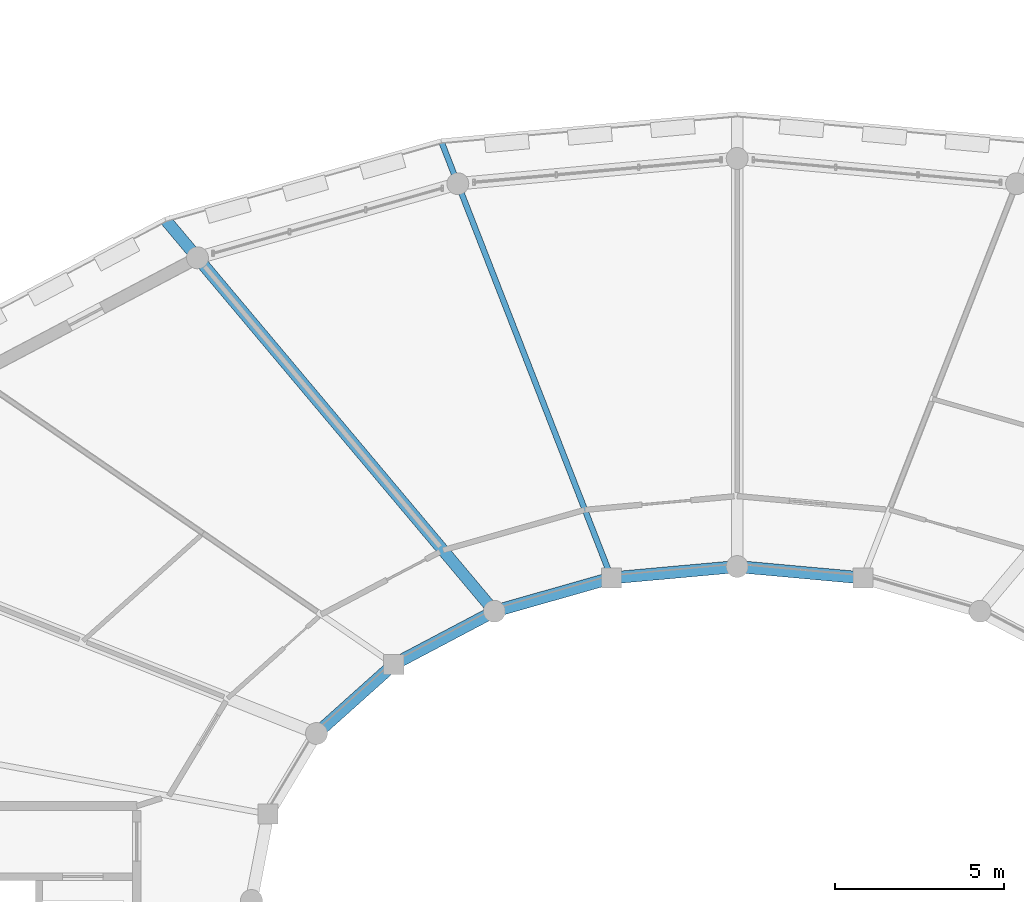
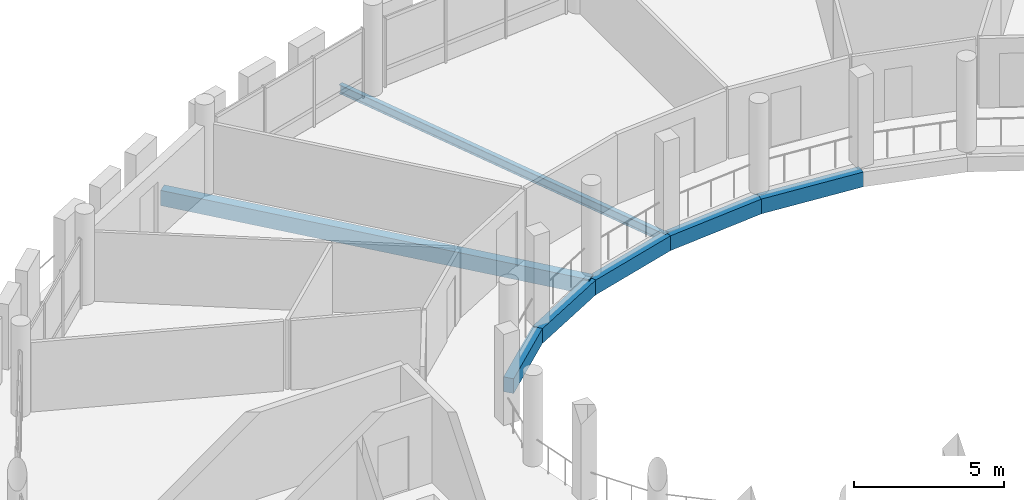
# One storey, part 45 of 84: 7 beams.
"""IFC4 building model written with IfcOpenShell, lengths in metres."""

from ifc_helpers import new_model, si_unit, direction, frame, origin, origin_2d, place, context, subcontext, project, spatial, rectangle, i_section, extrude, material, material_profile, profile_set, type_object, element, save


model = new_model("IFC4")

# Units and contexts
model_context = context("Model", 3, precision=1e-05, world=origin(), true_north=direction((0.0, 1.0)))
body_context = subcontext(model_context, "Body", "Model", "MODEL_VIEW")
ifc_project = project(units=[si_unit("LENGTHUNIT", "METRE"), si_unit("AREAUNIT", "SQUARE_METRE"), si_unit("VOLUMEUNIT", "CUBIC_METRE"), si_unit("PLANEANGLEUNIT", "RADIAN"), si_unit("MASSUNIT", "GRAM", prefix="KILO")], contexts=[model_context])

# Site, building, storey
site_placement = place(None, origin())
site = spatial("IfcSite", under=ifc_project, at=site_placement, CompositionType="ELEMENT")
building_placement = place(site_placement, origin())
building = spatial("IfcBuilding", under=site, at=building_placement, Name="Zornivar Specialist Clinic", CompositionType="ELEMENT")
storey_placement = place(building_placement, frame((0.0, 0.0, 12.300048828125)))
storey = spatial("IfcBuildingStorey", under=building, at=storey_placement, Name="L03", CompositionType="ELEMENT", Elevation=12.300048828125)

# Beams
ifc_material_1 = material(Name="Concrete C30/37", Category="concrete")
ifc_material_profile_1 = material_profile(ifc_material_1, rectangle(XDim=0.360107421875, YDim=0.60009765625, at=origin_2d()), Name="RC 360x600")
ifc_profile_set_1 = profile_set([ifc_material_profile_1], Name="Concrete C30/37")
beam_type_1 = type_object("IfcBeamType", Name="BM-RC-360x600", PredefinedType="BEAM", material=ifc_profile_set_1)
beam_1_placement = place(storey_placement, frame((97.326904296875, 67.1630859375, -0.590087890625), z_axis=(-0.99593853732, 0.090035714478, 0.0), x_axis=(-0.090035714478, -0.99593853732, 0.0)))
element("IfcBeam", 1, at=beam_1_placement, inside=storey, type_object=beam_type_1, Name="bm:V1:L03:inring:05", PredefinedType="BEAM", context=body_context, shape_type="SweptSolid", body=[
    extrude(rectangle(XDim=0.360107421875, YDim=0.60009765625, at=origin_2d()), origin(), (0.0, 0.0, 1.0), 3.741943359375),
])
beam_2_placement = place(storey_placement, frame((93.60009765625, 67.5, -0.590087890625), z_axis=(-0.995939066158, -0.09002986449, 0.0), x_axis=(0.09002986449, -0.995939066158, 0.0)))
element("IfcBeam", 2, at=beam_2_placement, inside=storey, type_object=beam_type_1, Name="bm:V1:L03:inring:06", PredefinedType="BEAM", context=body_context, shape_type="SweptSolid", body=[
    extrude(rectangle(XDim=0.360107421875, YDim=0.60009765625, at=origin_2d()), origin(), (0.0, 0.0, 1.0), 3.7421875),
])
beam_3_placement = place(storey_placement, frame((89.873046875, 67.1630859375, -0.590087890625), z_axis=(-0.961765935349, -0.2738727544, 0.0), x_axis=(0.2738727544, -0.961765935349, 0.0)))
element("IfcBeam", 3, at=beam_3_placement, inside=storey, type_object=beam_type_1, Name="bm:V1:L03:inring:07", PredefinedType="BEAM", context=body_context, shape_type="SweptSolid", body=[
    extrude(rectangle(XDim=0.360107421875, YDim=0.60009765625, at=origin_2d()), origin(), (0.0, 0.0, 1.0), 3.611328125),
])
beam_4_placement = place(storey_placement, frame((86.39990234375, 66.174072265625, -0.590087890625), z_axis=(-0.884363165653, -0.466799519319, 0.0), x_axis=(0.466799519319, -0.884363165653, 0.0)))
element("IfcBeam", 4, at=beam_4_placement, inside=storey, type_object=beam_type_1, Name="bm:V1:L03:inring:08", PredefinedType="BEAM", context=body_context, shape_type="SweptSolid", body=[
    extrude(rectangle(XDim=0.360107421875, YDim=0.60009765625, at=origin_2d()), origin(), (0.0, 0.0, 1.0), 3.371826171875),
])
beam_5_placement = place(storey_placement, frame((83.41796875, 64.60009765625, -0.590087890625), z_axis=(-0.744927462836, -0.66714546773, 0.0), x_axis=(0.66714546773, -0.744927462836, 0.0)))
element("IfcBeam", 5, at=beam_5_placement, inside=storey, type_object=beam_type_1, Name="bm:V1:L03:inring:09", PredefinedType="BEAM", context=body_context, shape_type="SweptSolid", body=[
    extrude(rectangle(XDim=0.360107421875, YDim=0.60009765625, at=origin_2d()), origin(), (0.0, 0.0, 1.0), 3.07275390625),
])
ifc_material_2 = material(Name="Concrete C30/37", Category="concrete")
ifc_material_profile_2 = material_profile(ifc_material_2, rectangle(XDim=0.35009765625, YDim=0.6201171875, at=origin_2d()), Name="RC 350x620")
ifc_profile_set_2 = profile_set([ifc_material_profile_2], Name="Concrete C30/37")
beam_type_2 = type_object("IfcBeamType", Name="BM-RC-CANT-350x620", PredefinedType="BEAM", material=ifc_profile_set_2)
beam_6_placement = place(storey_placement, frame((86.39990234375, 66.174072265625, -0.550048828125), z_axis=(-0.643102291661, 0.765780283411, 0.0), x_axis=(-0.765780283411, -0.643102291661, 0.0)))
element("IfcBeam", 6, at=beam_6_placement, inside=storey, type_object=beam_type_2, Name="bm:V1:L03:radcant:08", PredefinedType="BEAM", context=body_context, shape_type="SweptSolid", body=[
    extrude(rectangle(XDim=0.35009765625, YDim=0.6201171875, at=origin_2d()), origin(), (0.0, 0.0, 1.0), 15.176513671875),
])
ifc_material_3 = material(Name="Steel S355J2", Category="steel")
ifc_material_profile_3 = material_profile(ifc_material_3, i_section(OverallWidth=0.169921875, OverallDepth=0.360107421875, WebThickness=0.008056640625, FlangeThickness=0.0126953125, FilletRadius=0.01806640625, at=origin_2d()), Name="IPE 360")
ifc_profile_set_3 = profile_set([ifc_material_profile_3], Name="Steel S355J2")
beam_type_3 = type_object("IfcBeamType", Name="BM-STL-IPE360", PredefinedType="BEAM", material=ifc_profile_set_3)
beam_7_placement = place(storey_placement, frame((89.873046875, 67.1630859375, -0.469970703125), z_axis=(-0.363149073781, 0.931731050364, 0.0), x_axis=(-0.931731050364, -0.363149073781, 0.0)))
element("IfcBeam", 7, at=beam_7_placement, inside=storey, type_object=beam_type_3, Name="bm:V1:L03:radmid:07", PredefinedType="BEAM", context=body_context, shape_type="SweptSolid", body=[
    extrude(i_section(OverallWidth=0.169921875, OverallDepth=0.360107421875, WebThickness=0.008056640625, FlangeThickness=0.0126953125, FilletRadius=0.01806640625, at=origin_2d()), origin(), (0.0, 0.0, 1.0), 13.91162109375),
])

save(model, "model.ifc")
